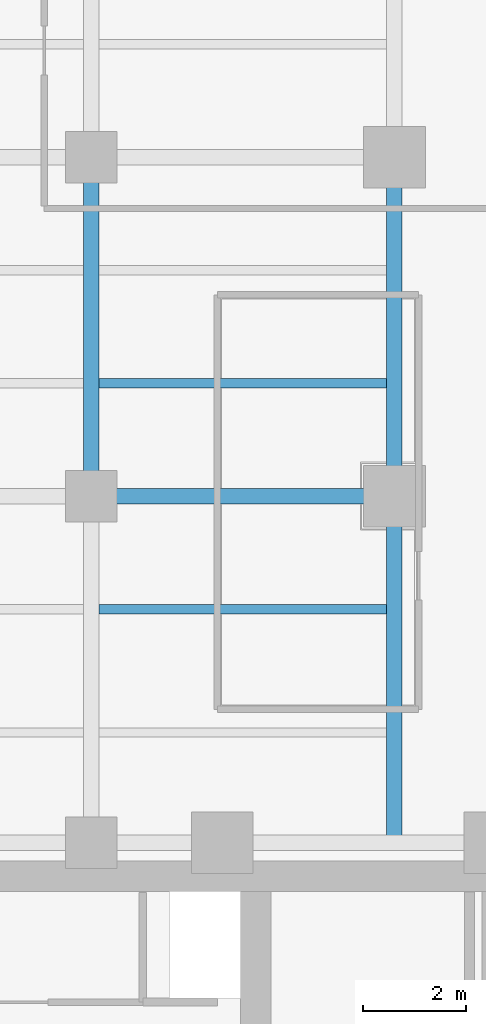
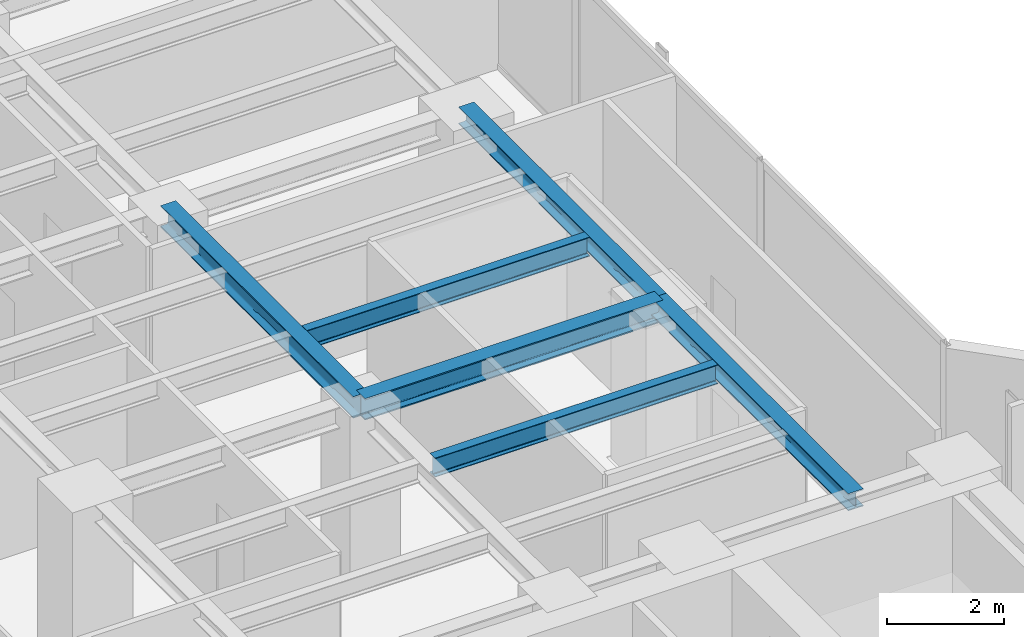
# One storey, part 8 of 23: 6 beams.
"""IFC4 building model written with IfcOpenShell, lengths in metres."""

from ifc_helpers import new_model, si_unit, direction, frame, origin, origin_2d, place, context, subcontext, project, spatial, i_section, extrude, material, material_profile, profile_set, type_object, element, save


model = new_model("IFC4")

# Units and contexts
model_context = context("Model", 3, precision=1e-05, world=origin(), true_north=direction((0.0, 1.0)))
body_context = subcontext(model_context, "Body", "Model", "MODEL_VIEW")
ifc_project = project(units=[si_unit("LENGTHUNIT", "METRE"), si_unit("AREAUNIT", "SQUARE_METRE"), si_unit("VOLUMEUNIT", "CUBIC_METRE"), si_unit("PLANEANGLEUNIT", "RADIAN"), si_unit("MASSUNIT", "GRAM", prefix="KILO")], contexts=[model_context])

# Site, building, storey
site_placement = place(None, origin())
site = spatial("IfcSite", under=ifc_project, at=site_placement, CompositionType="ELEMENT")
building_placement = place(site_placement, origin())
building = spatial("IfcBuilding", under=site, at=building_placement, Name="Kolvaren Waterfront Exchange", CompositionType="ELEMENT")
storey_placement = place(building_placement, frame((0.0, 0.0, 188.0)))
storey = spatial("IfcBuildingStorey", under=building, at=storey_placement, Name="L48", CompositionType="ELEMENT", Elevation=188.0)

# Beams
ifc_material = material(Name="Steel S355", Category="steel")
ifc_material_profile_1 = material_profile(ifc_material, i_section(OverallWidth=0.300048828125, OverallDepth=0.360107421875, WebThickness=0.012451171875, FlangeThickness=0.0224609375, FilletRadius=0.027099609375, at=origin_2d()), Name="HEB360")
ifc_profile_set_1 = profile_set([ifc_material_profile_1], Name="Steel S355")
beam_type_1 = type_object("IfcBeamType", Name="STR-BM-HEB360", PredefinedType="SPANDREL", material=ifc_profile_set_1)
beam_1_placement = place(storey_placement, frame((18.800048828125, 24.449951171875, 3.3798828125), z_axis=(0.0, 1.0, 0.0), x_axis=(-1.0, 0.0, 0.0)))
element("IfcBeam", 1, at=beam_1_placement, inside=storey, type_object=beam_type_1, Name="L48 north-arm edge beam 1", PredefinedType="SPANDREL", context=body_context, shape_type="SweptSolid", body=[
    extrude(i_section(OverallWidth=0.300048828125, OverallDepth=0.360107421875, WebThickness=0.012451171875, FlangeThickness=0.0224609375, FilletRadius=0.027099609375, at=origin_2d()), origin(), (0.0, 0.0, 1.0), 6.75),
])
beam_2_placement = place(storey_placement, frame((18.800048828125, 31.199951171875, 3.3798828125), z_axis=(0.0, 1.0, 0.0), x_axis=(-1.0, 0.0, 0.0)))
element("IfcBeam", 2, at=beam_2_placement, inside=storey, type_object=beam_type_1, Name="L48 north-arm edge beam 2", PredefinedType="SPANDREL", context=body_context, shape_type="SweptSolid", body=[
    extrude(i_section(OverallWidth=0.300048828125, OverallDepth=0.360107421875, WebThickness=0.012451171875, FlangeThickness=0.0224609375, FilletRadius=0.027099609375, at=origin_2d()), origin(), (0.0, 0.0, 1.0), 6.60009765625),
])
ifc_material_profile_2 = material_profile(ifc_material, i_section(OverallWidth=0.300048828125, OverallDepth=0.449951171875, WebThickness=0.013916015625, FlangeThickness=0.02587890625, FilletRadius=0.027099609375, at=origin_2d()), Name="HEB450")
ifc_profile_set_2 = profile_set([ifc_material_profile_2], Name="Steel S355")
beam_type_2 = type_object("IfcBeamType", Name="STR-BM-HEB450", PredefinedType="BEAM", material=ifc_profile_set_2)
beam_3_placement = place(storey_placement, frame((12.89990234375, 31.199951171875, 3.3349609375), z_axis=(1.0, 0.0, 0.0), x_axis=(0.0, 1.0, 0.0)))
element("IfcBeam", 3, at=beam_3_placement, inside=storey, type_object=beam_type_2, Name="L48 north-arm girder 2B", PredefinedType="BEAM", context=body_context, shape_type="SweptSolid", body=[
    extrude(i_section(OverallWidth=0.300048828125, OverallDepth=0.449951171875, WebThickness=0.013916015625, FlangeThickness=0.02587890625, FilletRadius=0.027099609375, at=origin_2d()), origin(), (0.0, 0.0, 1.0), 5.900146484375),
])
beam_4_placement = place(storey_placement, frame((12.89990234375, 31.199951171875, 3.3349609375), z_axis=(0.0, 1.0, 0.0), x_axis=(-1.0, 0.0, 0.0)))
element("IfcBeam", 4, at=beam_4_placement, inside=storey, type_object=beam_type_2, Name="L48 north-arm edge beam 2", PredefinedType="BEAM", context=body_context, shape_type="SweptSolid", body=[
    extrude(i_section(OverallWidth=0.300048828125, OverallDepth=0.449951171875, WebThickness=0.013916015625, FlangeThickness=0.02587890625, FilletRadius=0.027099609375, at=origin_2d()), origin(), (0.0, 0.0, 1.0), 6.60009765625),
])
ifc_material_profile_3 = material_profile(ifc_material, i_section(OverallWidth=0.179931640625, OverallDepth=0.39990234375, WebThickness=0.008544921875, FlangeThickness=0.013427734375, FilletRadius=0.02099609375, at=origin_2d()), Name="IPE400")
ifc_profile_set_3 = profile_set([ifc_material_profile_3], Name="Steel S355")
beam_type_3 = type_object("IfcBeamType", Name="STR-BM-IPE400", PredefinedType="JOIST", material=ifc_profile_set_3)
for number, where, z_axis, x_axis, name in (
    (5, (13.052001953125, 29.0, 3.360107421875), (1.0, 0.0, 0.0), (0.0, 1.0, 0.0), "L48 north-arm composite joist 2B"),
    (6, (13.052001953125, 33.39990234375, 3.360107421875), (1.0, 0.0, 0.0), (0.0, 1.0, 0.0), "L48 north-arm composite joist 3B"),
):
    element("IfcBeam", number, at=place(storey_placement, frame(where, z_axis=z_axis, x_axis=x_axis)), inside=storey, type_object=beam_type_3, Name=name, PredefinedType="JOIST", context=body_context, shape_type="SweptSolid", body=[
        extrude(i_section(OverallWidth=0.179931640625, OverallDepth=0.39990234375, WebThickness=0.008544921875, FlangeThickness=0.013427734375, FilletRadius=0.02099609375, at=origin_2d()), origin(), (0.0, 0.0, 1.0), 5.595947265625),
    ])

save(model, "model.ifc")
